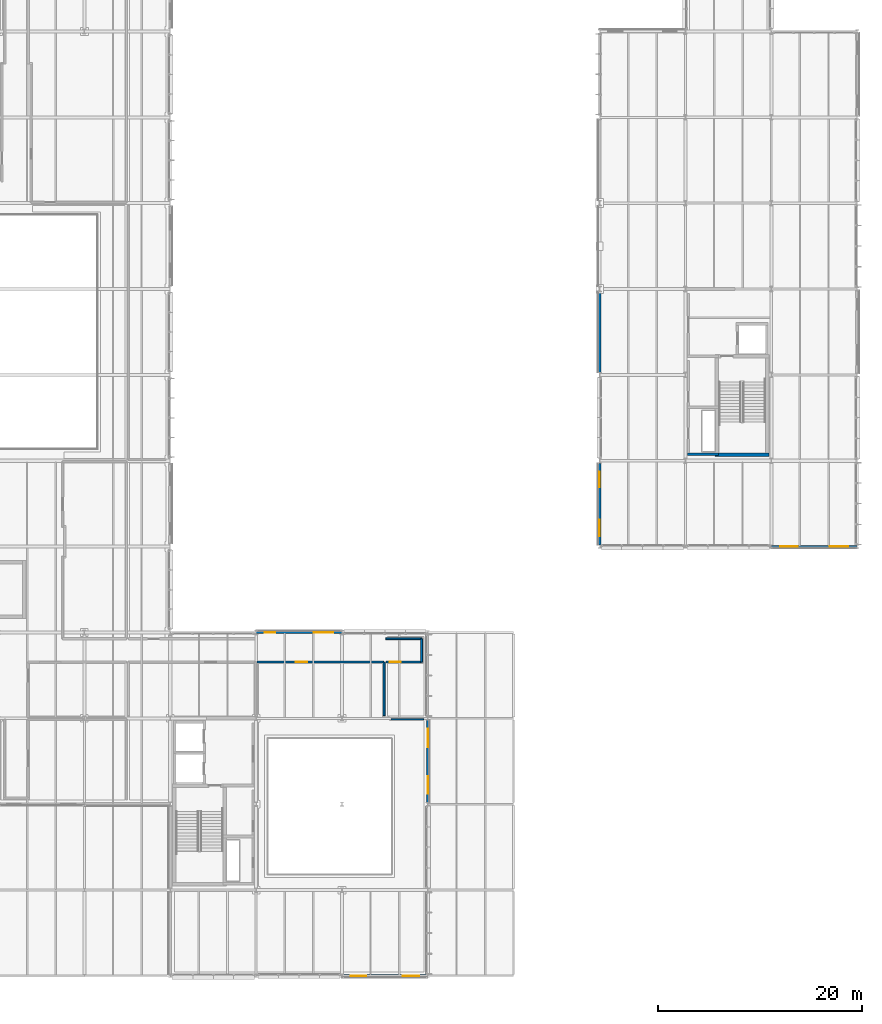
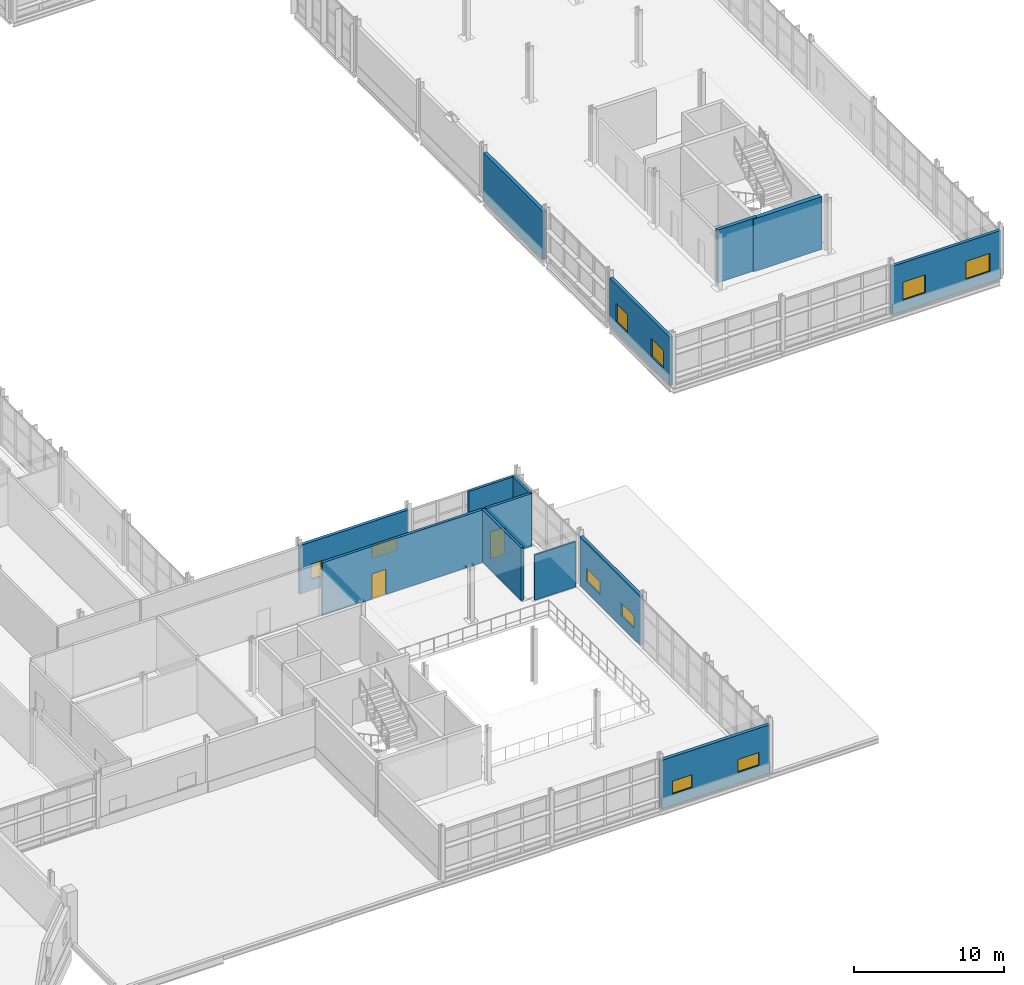
# One storey, part 101 of 129: 14 walls, 10 windows, 2 doors, 12 openings.
"""IFC4 building model written with IfcOpenShell, lengths in metres."""

from ifc_helpers import new_model, si_unit, direction, frame, frame_2d, origin, place, context, subcontext, project, spatial, rectangle, extrude, material, layer, layer_set, type_object, element, fill, save


model = new_model("IFC4")

# Units and contexts
model_context = context("Model", 3, precision=1e-05, world=origin(), true_north=direction((0.0, 1.0)))
body_context = subcontext(model_context, "Body", "Model", "MODEL_VIEW")
ifc_project = project(units=[si_unit("LENGTHUNIT", "METRE"), si_unit("AREAUNIT", "SQUARE_METRE"), si_unit("VOLUMEUNIT", "CUBIC_METRE"), si_unit("PLANEANGLEUNIT", "RADIAN"), si_unit("MASSUNIT", "GRAM", prefix="KILO")], contexts=[model_context])

# Site, building, storey
site_placement = place(None, origin())
site = spatial("IfcSite", under=ifc_project, at=site_placement, CompositionType="ELEMENT")
building_placement = place(site_placement, origin())
building = spatial("IfcBuilding", under=site, at=building_placement, Name="Mersafa Astral City Hall", CompositionType="ELEMENT")
storey_placement = place(building_placement, frame((0.0, 0.0, 5.39990234375)))
storey = spatial("IfcBuildingStorey", under=building, at=storey_placement, Name="L01", CompositionType="ELEMENT", Elevation=5.39990234375)

# Wall, openings, windows
ifc_material_1 = material(Name="Precast concrete C40/50 insulated terracotta spandrel", Category="masonry")
ifc_layer_1 = layer(ifc_material_1, 0.235107421875, Name="Precast concrete C40/50 insulated terracotta spandrel")
ifc_layer_set_1 = layer_set([ifc_layer_1], Name="Precast concrete C40/50 insulated terracotta spandrel — ENV-WAL-EXT-235")
wall_type_1 = type_object("IfcWallType", Name="ENV-WAL-EXT-235", PredefinedType="STANDARD", material=ifc_layer_set_1)
wall_1_placement = place(storey_placement, frame((134.39208984375, 33.60009765625, 0.0), z_axis=(0.0, 0.0, 1.0), x_axis=(-1.0, 0.0, 0.0)))
wall_1 = element("IfcWall", 1, at=wall_1_placement, inside=storey, type_object=wall_type_1, Name="L01 Limestone-clad exterior wall 89", PredefinedType="STANDARD", context=body_context, shape_type="SweptSolid", body=[
    extrude(rectangle(XDim=8.384033203125, YDim=0.235107421875, at=frame_2d((4.19189453125, 0.0))), origin(), (0.0, 0.0, 1.0), 3.9521484375),
])
opening_1_placement = place(wall_1_placement, frame((0.85009765625, 0.0, 0.89990234375)))
opening_1 = element("IfcOpeningElement", 2, at=opening_1_placement, cuts=wall_1, Name="Opening W-10", PredefinedType="OPENING", context=body_context, shape_type="SweptSolid", body=[
    extrude(rectangle(XDim=1.919921875, YDim=1.050048828125, at=frame_2d((0.9599609375, 0.52490234375))), frame((0.0, 0.12744140625, 0.0), z_axis=(0.0, -1.0, 0.0), x_axis=(1.0, 0.0, 0.0)), (0.0, 0.0, 1.0), 0.255126953125),
])
opening_2_placement = place(wall_1_placement, frame((6.513916015625, 0.0, 0.89990234375)))
opening_2 = element("IfcOpeningElement", 3, at=opening_2_placement, cuts=wall_1, Name="Opening W-11", PredefinedType="OPENING", context=body_context, shape_type="SweptSolid", body=[
    extrude(rectangle(XDim=1.02001953125, YDim=1.25, at=frame_2d((0.510009765625, 0.625))), frame((0.0, 0.12744140625, 0.0), z_axis=(0.0, -1.0, 0.0), x_axis=(1.0, 0.0, 0.0)), (0.0, 0.0, 1.0), 0.255126953125),
])
ifc_material_2 = material(Name="Solar control low-e double glazing in bronze frame", Category="glass")
window_type_1 = type_object("IfcWindowType", Name="ENV-WIN-W-10", PartitioningType="SINGLE_PANEL", PredefinedType="WINDOW", material=ifc_material_2)
window_1_placement = place(opening_1_placement, origin())
window_1 = element("IfcWindow", 4, at=window_1_placement, inside=storey, type_object=window_type_1, Name="L01 Solar punched window 89-L", OverallHeight=1.050048828125, OverallWidth=1.919921875, PartitioningType="SINGLE_PANEL", PredefinedType="WINDOW", context=body_context, shape_type="SweptSolid", body=[
    extrude(rectangle(XDim=1.919921875, YDim=1.050048828125, at=frame_2d((0.9599609375, 0.52490234375))), frame((0.0, 0.030029296875, 0.0), z_axis=(0.0, -1.0, 0.0), x_axis=(1.0, 0.0, 0.0)), (0.0, 0.0, 1.0), 0.06005859375),
])
fill(opening_1, window_1)
window_type_2 = type_object("IfcWindowType", Name="ENV-WIN-W-11", PartitioningType="SINGLE_PANEL", PredefinedType="WINDOW", material=ifc_material_2)
window_2_placement = place(opening_2_placement, origin())
window_2 = element("IfcWindow", 5, at=window_2_placement, inside=storey, type_object=window_type_2, Name="L01 Solar punched window 89-R", OverallHeight=1.25, OverallWidth=1.02001953125, PartitioningType="SINGLE_PANEL", PredefinedType="WINDOW", context=body_context, shape_type="SweptSolid", body=[
    extrude(rectangle(XDim=1.02001953125, YDim=1.25, at=frame_2d((0.510009765625, 0.625))), frame((0.0, 0.030029296875, 0.0), z_axis=(0.0, -1.0, 0.0), x_axis=(1.0, 0.0, 0.0)), (0.0, 0.0, 1.0), 0.06005859375),
])
fill(opening_2, window_2)

wall_2_placement = place(storey_placement, frame((176.407958984375, 42.0, 0.0), z_axis=(0.0, 0.0, 1.0), x_axis=(1.0, 0.0, 0.0)))
wall_2 = element("IfcWall", 6, at=wall_2_placement, inside=storey, type_object=wall_type_1, Name="L01 Limestone-clad exterior wall 101", PredefinedType="STANDARD", context=body_context, shape_type="SweptSolid", body=[
    extrude(rectangle(XDim=8.384033203125, YDim=0.235107421875, at=frame_2d((4.19189453125, 0.0))), origin(), (0.0, 0.0, 1.0), 3.922119140625),
])
opening_3_placement = place(wall_2_placement, frame((0.85009765625, 0.0, 0.89990234375)))
opening_3 = element("IfcOpeningElement", 7, at=opening_3_placement, cuts=wall_2, Name="Opening W-28", PredefinedType="OPENING", context=body_context, shape_type="SweptSolid", body=[
    extrude(rectangle(XDim=1.719970703125, YDim=1.449951171875, at=frame_2d((0.85986328125, 0.72509765625))), frame((0.0, 0.12744140625, 0.0), z_axis=(0.0, -1.0, 0.0), x_axis=(1.0, 0.0, 0.0)), (0.0, 0.0, 1.0), 0.255126953125),
])
opening_4_placement = place(wall_2_placement, frame((5.714111328125, 0.0, 0.89990234375)))
opening_4 = element("IfcOpeningElement", 8, at=opening_4_placement, cuts=wall_2, Name="Opening W-29", PredefinedType="OPENING", context=body_context, shape_type="SweptSolid", body=[
    extrude(rectangle(XDim=1.820068359375, YDim=1.449951171875, at=frame_2d((0.91015625, 0.72509765625))), frame((0.0, 0.12744140625, 0.0), z_axis=(0.0, -1.0, 0.0), x_axis=(1.0, 0.0, 0.0)), (0.0, 0.0, 1.0), 0.255126953125),
])
window_type_3 = type_object("IfcWindowType", Name="ENV-WIN-W-28", PartitioningType="SINGLE_PANEL", PredefinedType="WINDOW", material=ifc_material_2)
window_3_placement = place(opening_3_placement, origin())
window_3 = element("IfcWindow", 9, at=window_3_placement, inside=storey, type_object=window_type_3, Name="L01 Solar punched window 101-L", OverallHeight=1.449951171875, OverallWidth=1.719970703125, PartitioningType="SINGLE_PANEL", PredefinedType="WINDOW", context=body_context, shape_type="SweptSolid", body=[
    extrude(rectangle(XDim=1.719970703125, YDim=1.449951171875, at=frame_2d((0.85986328125, 0.72509765625))), frame((0.0, 0.030029296875, 0.0), z_axis=(0.0, -1.0, 0.0), x_axis=(1.0, 0.0, 0.0)), (0.0, 0.0, 1.0), 0.06005859375),
])
fill(opening_3, window_3)
window_type_4 = type_object("IfcWindowType", Name="ENV-WIN-W-29", PartitioningType="SINGLE_PANEL", PredefinedType="WINDOW", material=ifc_material_2)
window_4_placement = place(opening_4_placement, origin())
window_4 = element("IfcWindow", 10, at=window_4_placement, inside=storey, type_object=window_type_4, Name="L01 Solar punched window 101-R", OverallHeight=1.449951171875, OverallWidth=1.820068359375, PartitioningType="SINGLE_PANEL", PredefinedType="WINDOW", context=body_context, shape_type="SweptSolid", body=[
    extrude(rectangle(XDim=1.820068359375, YDim=1.449951171875, at=frame_2d((0.91015625, 0.72509765625))), frame((0.0, 0.030029296875, 0.0), z_axis=(0.0, -1.0, 0.0), x_axis=(1.0, 0.0, 0.0)), (0.0, 0.0, 1.0), 0.06005859375),
])
fill(opening_4, window_4)

ifc_layer_2 = layer(ifc_material_1, 0.25, Name="Precast concrete C40/50 insulated terracotta spandrel")
ifc_layer_set_2 = layer_set([ifc_layer_2], Name="Precast concrete C40/50 insulated terracotta spandrel — ENV-WAL-EXT-250")
wall_type_2 = type_object("IfcWallType", Name="ENV-WAL-EXT-250", PredefinedType="STANDARD", material=ifc_layer_set_2)
wall_3_placement = place(storey_placement, frame((142.800048828125, 16.966064453125, 0.0), z_axis=(0.0, 0.0, 1.0), x_axis=(0.0, 1.0, 0.0)))
wall_3 = element("IfcWall", 11, at=wall_3_placement, inside=storey, type_object=wall_type_2, Name="L01 Limestone-clad exterior wall 88", PredefinedType="STANDARD", context=body_context, shape_type="SweptSolid", body=[
    extrude(rectangle(XDim=8.057861328125, YDim=0.25, at=frame_2d((4.02880859375, 0.0))), origin(), (0.0, 0.0, 1.0), 4.01220703125),
])
opening_5_placement = place(wall_3_placement, frame((0.85009765625, 0.0, 0.89990234375)))
opening_5 = element("IfcOpeningElement", 12, at=opening_5_placement, cuts=wall_3, Name="Opening W-08", PredefinedType="OPENING", context=body_context, shape_type="SweptSolid", body=[
    extrude(rectangle(XDim=1.719970703125, YDim=1.050048828125, at=frame_2d((0.85986328125, 0.52490234375))), frame((0.0, 0.135009765625, 0.0), z_axis=(0.0, -1.0, 0.0), x_axis=(1.0, 0.0, 0.0)), (0.0, 0.0, 1.0), 0.27001953125),
])
opening_6_placement = place(wall_3_placement, frame((5.387939453125, 0.0, 0.89990234375)))
opening_6 = element("IfcOpeningElement", 13, at=opening_6_placement, cuts=wall_3, Name="Opening W-09", PredefinedType="OPENING", context=body_context, shape_type="SweptSolid", body=[
    extrude(rectangle(XDim=1.820068359375, YDim=1.050048828125, at=frame_2d((0.91015625, 0.52490234375))), frame((0.0, 0.135009765625, 0.0), z_axis=(0.0, -1.0, 0.0), x_axis=(1.0, 0.0, 0.0)), (0.0, 0.0, 1.0), 0.27001953125),
])
window_type_5 = type_object("IfcWindowType", Name="ENV-WIN-W-08", PartitioningType="SINGLE_PANEL", PredefinedType="WINDOW", material=ifc_material_2)
window_5_placement = place(opening_5_placement, origin())
window_5 = element("IfcWindow", 14, at=window_5_placement, inside=storey, type_object=window_type_5, Name="L01 Solar punched window 88-L", OverallHeight=1.050048828125, OverallWidth=1.719970703125, PartitioningType="SINGLE_PANEL", PredefinedType="WINDOW", context=body_context, shape_type="SweptSolid", body=[
    extrude(rectangle(XDim=1.719970703125, YDim=1.050048828125, at=frame_2d((0.85986328125, 0.52490234375))), frame((0.0, 0.030029296875, 0.0), z_axis=(0.0, -1.0, 0.0), x_axis=(1.0, 0.0, 0.0)), (0.0, 0.0, 1.0), 0.06005859375),
])
fill(opening_5, window_5)
window_type_6 = type_object("IfcWindowType", Name="ENV-WIN-W-09", PartitioningType="SINGLE_PANEL", PredefinedType="WINDOW", material=ifc_material_2)
window_6_placement = place(opening_6_placement, origin())
window_6 = element("IfcWindow", 15, at=window_6_placement, inside=storey, type_object=window_type_6, Name="L01 Solar punched window 88-R", OverallHeight=1.050048828125, OverallWidth=1.820068359375, PartitioningType="SINGLE_PANEL", PredefinedType="WINDOW", context=body_context, shape_type="SweptSolid", body=[
    extrude(rectangle(XDim=1.820068359375, YDim=1.050048828125, at=frame_2d((0.91015625, 0.52490234375))), frame((0.0, 0.030029296875, 0.0), z_axis=(0.0, -1.0, 0.0), x_axis=(1.0, 0.0, 0.0)), (0.0, 0.0, 1.0), 0.06005859375),
])
fill(opening_6, window_6)

wall_4_placement = place(storey_placement, frame((159.60009765625, 50.154052734375, 0.0), z_axis=(0.0, 0.0, 1.0), x_axis=(0.0, -1.0, 0.0)))
wall_4 = element("IfcWall", 16, at=wall_4_placement, inside=storey, type_object=wall_type_2, Name="L01 Limestone-clad exterior wall 100", PredefinedType="STANDARD", context=body_context, shape_type="SweptSolid", body=[
    extrude(rectangle(XDim=8.008056640625, YDim=0.25, at=frame_2d((4.00390625, 0.0))), origin(), (0.0, 0.0, 1.0), 3.922119140625),
])
opening_7_placement = place(wall_4_placement, frame((0.85009765625, 0.0, 0.89990234375)))
opening_7 = element("IfcOpeningElement", 17, at=opening_7_placement, cuts=wall_4, Name="Opening W-26", PredefinedType="OPENING", context=body_context, shape_type="SweptSolid", body=[
    extrude(rectangle(XDim=1.52001953125, YDim=1.449951171875, at=frame_2d((0.760009765625, 0.72509765625))), frame((0.0, 0.135009765625, 0.0), z_axis=(0.0, -1.0, 0.0), x_axis=(1.0, 0.0, 0.0)), (0.0, 0.0, 1.0), 0.27001953125),
])
opening_8_placement = place(wall_4_placement, frame((5.5380859375, 0.0, 0.89990234375)))
opening_8 = element("IfcOpeningElement", 18, at=opening_8_placement, cuts=wall_4, Name="Opening W-27", PredefinedType="OPENING", context=body_context, shape_type="SweptSolid", body=[
    extrude(rectangle(XDim=1.6201171875, YDim=1.449951171875, at=frame_2d((0.81005859375, 0.72509765625))), frame((0.0, 0.135009765625, 0.0), z_axis=(0.0, -1.0, 0.0), x_axis=(1.0, 0.0, 0.0)), (0.0, 0.0, 1.0), 0.27001953125),
])
window_type_7 = type_object("IfcWindowType", Name="ENV-WIN-W-26", PartitioningType="SINGLE_PANEL", PredefinedType="WINDOW", material=ifc_material_2)
window_7_placement = place(opening_7_placement, origin())
window_7 = element("IfcWindow", 19, at=window_7_placement, inside=storey, type_object=window_type_7, Name="L01 Solar punched window 100-L", OverallHeight=1.449951171875, OverallWidth=1.52001953125, PartitioningType="SINGLE_PANEL", PredefinedType="WINDOW", context=body_context, shape_type="SweptSolid", body=[
    extrude(rectangle(XDim=1.52001953125, YDim=1.449951171875, at=frame_2d((0.760009765625, 0.72509765625))), frame((0.0, 0.030029296875, 0.0), z_axis=(0.0, -1.0, 0.0), x_axis=(1.0, 0.0, 0.0)), (0.0, 0.0, 1.0), 0.06005859375),
])
fill(opening_7, window_7)
window_type_8 = type_object("IfcWindowType", Name="ENV-WIN-W-27", PartitioningType="SINGLE_PANEL", PredefinedType="WINDOW", material=ifc_material_2)
window_8_placement = place(opening_8_placement, origin())
window_8 = element("IfcWindow", 20, at=window_8_placement, inside=storey, type_object=window_type_8, Name="L01 Solar punched window 100-R", OverallHeight=1.449951171875, OverallWidth=1.6201171875, PartitioningType="SINGLE_PANEL", PredefinedType="WINDOW", context=body_context, shape_type="SweptSolid", body=[
    extrude(rectangle(XDim=1.6201171875, YDim=1.449951171875, at=frame_2d((0.81005859375, 0.72509765625))), frame((0.0, 0.030029296875, 0.0), z_axis=(0.0, -1.0, 0.0), x_axis=(1.0, 0.0, 0.0)), (0.0, 0.0, 1.0), 0.06005859375),
])
fill(opening_8, window_8)

ifc_material_3 = material(Name="Precast concrete C40/50 insulated limestone wall", Category="masonry")
ifc_layer_3 = layer(ifc_material_3, 0.264892578125, Name="Precast concrete C40/50 insulated limestone wall")
ifc_layer_set_3 = layer_set([ifc_layer_3], Name="Precast concrete C40/50 insulated limestone wall — ENV-WAL-EXT-265")
wall_type_3 = type_object("IfcWallType", Name="ENV-WAL-EXT-265", PredefinedType="STANDARD", material=ifc_layer_set_3)
wall_5_placement = place(storey_placement, frame((134.407958984375, 0.0, 0.0), z_axis=(0.0, 0.0, 1.0), x_axis=(1.0, 0.0, 0.0)))
wall_5 = element("IfcWall", 21, at=wall_5_placement, inside=storey, type_object=wall_type_3, Name="L01 Limestone-clad exterior wall 87", PredefinedType="STANDARD", context=body_context, shape_type="SweptSolid", body=[
    extrude(rectangle(XDim=8.384033203125, YDim=0.264892578125, at=frame_2d((4.19189453125, 0.0))), origin(), (0.0, 0.0, 1.0), 3.922119140625),
])
opening_9_placement = place(wall_5_placement, frame((0.85009765625, 0.0, 0.89990234375)))
opening_9 = element("IfcOpeningElement", 22, at=opening_9_placement, cuts=wall_5, Name="Opening W-06", PredefinedType="OPENING", context=body_context, shape_type="SweptSolid", body=[
    extrude(rectangle(XDim=1.52001953125, YDim=1.050048828125, at=frame_2d((0.760009765625, 0.52490234375))), frame((0.0, 0.142333984375, 0.0), z_axis=(0.0, -1.0, 0.0), x_axis=(1.0, 0.0, 0.0)), (0.0, 0.0, 1.0), 0.284912109375),
])
opening_10_placement = place(wall_5_placement, frame((5.9140625, 0.0, 0.89990234375)))
opening_10 = element("IfcOpeningElement", 23, at=opening_10_placement, cuts=wall_5, Name="Opening W-07", PredefinedType="OPENING", context=body_context, shape_type="SweptSolid", body=[
    extrude(rectangle(XDim=1.6201171875, YDim=1.050048828125, at=frame_2d((0.81005859375, 0.52490234375))), frame((0.0, 0.142333984375, 0.0), z_axis=(0.0, -1.0, 0.0), x_axis=(1.0, 0.0, 0.0)), (0.0, 0.0, 1.0), 0.284912109375),
])
window_type_9 = type_object("IfcWindowType", Name="ENV-WIN-W-06", PartitioningType="SINGLE_PANEL", PredefinedType="WINDOW", material=ifc_material_2)
window_9_placement = place(opening_9_placement, origin())
window_9 = element("IfcWindow", 24, at=window_9_placement, inside=storey, type_object=window_type_9, Name="L01 Solar punched window 87-L", OverallHeight=1.050048828125, OverallWidth=1.52001953125, PartitioningType="SINGLE_PANEL", PredefinedType="WINDOW", context=body_context, shape_type="SweptSolid", body=[
    extrude(rectangle(XDim=1.52001953125, YDim=1.050048828125, at=frame_2d((0.760009765625, 0.52490234375))), frame((0.0, 0.030029296875, 0.0), z_axis=(0.0, -1.0, 0.0), x_axis=(1.0, 0.0, 0.0)), (0.0, 0.0, 1.0), 0.06005859375),
])
fill(opening_9, window_9)
window_type_10 = type_object("IfcWindowType", Name="ENV-WIN-W-07", PartitioningType="SINGLE_PANEL", PredefinedType="WINDOW", material=ifc_material_2)
window_10_placement = place(opening_10_placement, origin())
window_10 = element("IfcWindow", 25, at=window_10_placement, inside=storey, type_object=window_type_10, Name="L01 Solar punched window 87-R", OverallHeight=1.050048828125, OverallWidth=1.6201171875, PartitioningType="SINGLE_PANEL", PredefinedType="WINDOW", context=body_context, shape_type="SweptSolid", body=[
    extrude(rectangle(XDim=1.6201171875, YDim=1.050048828125, at=frame_2d((0.81005859375, 0.52490234375))), frame((0.0, 0.030029296875, 0.0), z_axis=(0.0, -1.0, 0.0), x_axis=(1.0, 0.0, 0.0)), (0.0, 0.0, 1.0), 0.06005859375),
])
fill(opening_10, window_10)

# Walls
wall_6_placement = place(storey_placement, frame((159.60009765625, 66.9541015625, 0.0), z_axis=(0.0, 0.0, 1.0), x_axis=(0.0, -1.0, 0.0)))
element("IfcWall", 26, at=wall_6_placement, inside=storey, type_object=wall_type_3, Name="L01 Limestone-clad exterior wall 99", PredefinedType="STANDARD", context=body_context, shape_type="SweptSolid", body=[
    extrude(rectangle(XDim=7.908203125, YDim=0.264892578125, at=frame_2d((3.9541015625, 0.0))), origin(), (0.0, 0.0, 1.0), 3.922119140625),
])
ifc_material_4 = material(Name="Concrete C40/50", Category="concrete")
ifc_layer_4 = layer(ifc_material_4, 0.260009765625, Name="Concrete C40/50")
ifc_layer_set_4 = layer_set([ifc_layer_4], Name="Concrete C40/50 — INT-WAL-CORE-260")
wall_type_4 = type_object("IfcWallType", Name="INT-WAL-CORE-260", PredefinedType="SHEAR", material=ifc_layer_set_4)
wall_7_placement = place(storey_placement, frame((168.199951171875, 51.02001953125, 0.0), z_axis=(0.0, 0.0, 1.0), x_axis=(1.0, 0.0, 0.0)))
element("IfcWall", 27, at=wall_7_placement, inside=storey, type_object=wall_type_4, Name="L01 Core K4 riser south wall", PredefinedType="SHEAR", context=body_context, shape_type="SweptSolid", body=[
    extrude(rectangle(XDim=3.03515625, YDim=0.260009765625, at=frame_2d((1.517578125, 0.0))), origin(), (0.0, 0.0, 1.0), 4.2900390625),
])
ifc_layer_5 = layer(ifc_material_4, 0.340087890625, Name="Concrete C40/50")
ifc_layer_set_5 = layer_set([ifc_layer_5], Name="Concrete C40/50 — INT-WAL-CORE-340")
wall_type_5 = type_object("IfcWallType", Name="INT-WAL-CORE-340", PredefinedType="SHEAR", material=ifc_layer_set_5)
wall_8_placement = place(storey_placement, frame((170.9150390625, 50.97509765625, 0.0), z_axis=(0.0, 0.0, 1.0), x_axis=(1.0, 0.0, 0.0)))
element("IfcWall", 28, at=wall_8_placement, inside=storey, type_object=wall_type_5, Name="L01 Core K4 stair south shear wall", PredefinedType="SHEAR", context=body_context, shape_type="SweptSolid", body=[
    extrude(rectangle(XDim=5.25, YDim=0.340087890625, at=frame_2d((2.625, 0.0))), origin(), (0.0, 0.0, 1.0), 4.2900390625),
])
ifc_material_5 = material(Name="Acoustic steel-stud gypsum partition", Category="steel")
ifc_layer_6 = layer(ifc_material_5, 0.1201171875, Name="Acoustic steel-stud gypsum partition")
ifc_layer_set_6 = layer_set([ifc_layer_6], Name="Acoustic steel-stud gypsum partition — INT-WAL-PART-EI30-120")
wall_type_6 = type_object("IfcWallType", Name="INT-WAL-PART-EI30-120", PredefinedType="STANDARD", material=ifc_layer_set_6)
wall_9_placement = place(storey_placement, frame((139.2099609375, 25.110107421875, -0.00390625), z_axis=(0.0, 0.0, 1.0), x_axis=(1.0, 0.0, 0.0)))
element("IfcWall", 29, at=wall_9_placement, inside=storey, type_object=wall_type_6, Name="L01 Interior partition wall 338", PredefinedType="STANDARD", context=body_context, shape_type="SweptSolid", body=[
    extrude(rectangle(XDim=3.169921875, YDim=0.1201171875, at=frame_2d((1.5849609375, 0.0))), origin(), (0.0, 0.0, 1.0), 3.68603515625),
])
ifc_material_6 = material(Name="Acoustic twin-stud gypsum partition", Category="gypsum")
ifc_layer_7 = layer(ifc_material_6, 0.179931640625, Name="Acoustic twin-stud gypsum partition")
ifc_layer_set_7 = layer_set([ifc_layer_7], Name="Acoustic twin-stud gypsum partition — INT-WAL-PART-EI60-180")
wall_type_7 = type_object("IfcWallType", Name="INT-WAL-PART-EI60-180", PredefinedType="STANDARD", material=ifc_layer_set_7)
wall_10_placement = place(storey_placement, frame((142.179931640625, 32.97998046875, -0.00390625), z_axis=(0.0, 0.0, 1.0), x_axis=(-1.0, 0.0, 0.0)))
element("IfcWall", 30, at=wall_10_placement, inside=storey, type_object=wall_type_7, Name="L01 Interior partition wall 394", PredefinedType="STANDARD", context=body_context, shape_type="SweptSolid", body=[
    extrude(rectangle(XDim=3.489990234375, YDim=0.179931640625, at=frame_2d((1.7451171875, 0.0))), origin(), (0.0, 0.0, 1.0), 4.2939453125),
])
ifc_layer_8 = layer(ifc_material_6, 0.195068359375, Name="Acoustic twin-stud gypsum partition")
ifc_layer_set_8 = layer_set([ifc_layer_8], Name="Acoustic twin-stud gypsum partition — INT-WAL-PART-EI60-195")
wall_type_8 = type_object("IfcWallType", Name="INT-WAL-PART-EI60-195", PredefinedType="STANDARD", material=ifc_layer_set_8)
wall_11_placement = place(storey_placement, frame((138.510009765625, 30.699951171875, -0.00390625), z_axis=(0.0, 0.0, 1.0), x_axis=(0.0, -1.0, 0.0)))
element("IfcWall", 31, at=wall_11_placement, inside=storey, type_object=wall_type_8, Name="L01 Interior partition wall 337", PredefinedType="STANDARD", context=body_context, shape_type="SweptSolid", body=[
    extrude(rectangle(XDim=5.239990234375, YDim=0.195068359375, at=frame_2d((2.6201171875, 0.0))), origin(), (0.0, 0.0, 1.0), 4.2939453125),
])
wall_12_placement = place(storey_placement, frame((142.179931640625, 30.699951171875, -0.00390625), z_axis=(0.0, 0.0, 1.0), x_axis=(0.0, 1.0, 0.0)))
element("IfcWall", 32, at=wall_12_placement, inside=storey, type_object=wall_type_8, Name="L01 Interior partition wall 393", PredefinedType="STANDARD", context=body_context, shape_type="SweptSolid", body=[
    extrude(rectangle(XDim=2.280029296875, YDim=0.195068359375, at=frame_2d((1.14013671875, 0.0))), origin(), (0.0, 0.0, 1.0), 4.2939453125),
])

# Wall, opening, door
ifc_material_7 = material(Name="Autoclaved aerated concrete blockwork plastered", Category="masonry")
ifc_layer_9 = layer(ifc_material_7, 0.2099609375, Name="Autoclaved aerated concrete blockwork plastered")
ifc_layer_set_9 = layer_set([ifc_layer_9], Name="Autoclaved aerated concrete blockwork plastered — INT-WAL-PART-EI60-210")
wall_type_9 = type_object("IfcWallType", Name="INT-WAL-PART-EI60-210", PredefinedType="STANDARD", material=ifc_layer_set_9)
wall_13_placement = place(storey_placement, frame((126.090087890625, 30.699951171875, -0.00390625), z_axis=(0.0, 0.0, 1.0), x_axis=(1.0, 0.0, 0.0)))
wall_13 = element("IfcWall", 33, at=wall_13_placement, inside=storey, type_object=wall_type_9, Name="L01 Interior partition wall 336", PredefinedType="STANDARD", context=body_context, shape_type="SweptSolid", body=[
    extrude(rectangle(XDim=12.419921875, YDim=0.2099609375, at=frame_2d((6.2099609375, 0.0))), origin(), (0.0, 0.0, 1.0), 4.2939453125),
])
opening_11_placement = place(wall_13_placement, frame((3.797119140625, 0.0, 0.0)))
opening_11 = element("IfcOpeningElement", 34, at=opening_11_placement, cuts=wall_13, Name="Opening D-04", PredefinedType="OPENING", context=body_context, shape_type="SweptSolid", body=[
    extrude(rectangle(XDim=1.10009765625, YDim=2.06005859375, at=frame_2d((0.550048828125, 1.030029296875))), frame((0.0, 0.114990234375, 0.0), z_axis=(0.0, -1.0, 0.0), x_axis=(1.0, 0.0, 0.0)), (0.0, 0.0, 1.0), 0.22998046875),
])
ifc_material_8 = material(Name="Cedar veneered acoustic fire-rated timber door", Category="wood")
door_type_1 = type_object("IfcDoorType", Name="INT-DR-RM-D-04", OperationType="NOTDEFINED", PredefinedType="DOOR", material=ifc_material_8)
door_1_placement = place(opening_11_placement, origin())
door_1 = element("IfcDoor", 35, at=door_1_placement, inside=storey, type_object=door_type_1, Name="L01 Municipal Administration Office L01-15 Entrance Door", OperationType="SINGLE_SWING_RIGHT", OverallHeight=2.06005859375, OverallWidth=1.10009765625, PredefinedType="DOOR", context=body_context, shape_type="SweptSolid", body=[
    extrude(rectangle(XDim=1.10009765625, YDim=2.06005859375, at=frame_2d((0.550048828125, 1.030029296875))), frame((0.0, 0.02490234375, 0.0), z_axis=(0.0, -1.0, 0.0), x_axis=(1.0, 0.0, 0.0)), (0.0, 0.0, 1.0), 0.050048828125),
])
fill(opening_11, door_1)

wall_14_placement = place(storey_placement, frame((138.68994140625, 30.699951171875, -0.00390625), z_axis=(0.0, 0.0, 1.0), x_axis=(1.0, 0.0, 0.0)))
wall_14 = element("IfcWall", 36, at=wall_14_placement, inside=storey, type_object=wall_type_9, Name="L01 Interior partition wall 392", PredefinedType="STANDARD", context=body_context, shape_type="SweptSolid", body=[
    extrude(rectangle(XDim=3.489990234375, YDim=0.2099609375, at=frame_2d((1.7451171875, 0.0))), origin(), (0.0, 0.0, 1.0), 4.2939453125),
])
opening_12_placement = place(wall_14_placement, frame((0.360107421875, 0.0, 0.0)))
opening_12 = element("IfcOpeningElement", 37, at=opening_12_placement, cuts=wall_14, Name="Opening D-22", PredefinedType="OPENING", context=body_context, shape_type="SweptSolid", body=[
    extrude(rectangle(XDim=1.10009765625, YDim=2.219970703125, at=frame_2d((0.550048828125, 1.10986328125))), frame((0.0, 0.114990234375, 0.0), z_axis=(0.0, -1.0, 0.0), x_axis=(1.0, 0.0, 0.0)), (0.0, 0.0, 1.0), 0.22998046875),
])
door_type_2 = type_object("IfcDoorType", Name="INT-DR-RM-D-22", OperationType="NOTDEFINED", PredefinedType="DOOR", material=ifc_material_8)
door_2_placement = place(opening_12_placement, origin())
door_2 = element("IfcDoor", 38, at=door_2_placement, inside=storey, type_object=door_type_2, Name="L01 Municipal Administration Office L01-33 Entrance Door", OperationType="SINGLE_SWING_RIGHT", OverallHeight=2.219970703125, OverallWidth=1.10009765625, PredefinedType="DOOR", context=body_context, shape_type="SweptSolid", body=[
    extrude(rectangle(XDim=1.10009765625, YDim=2.219970703125, at=frame_2d((0.550048828125, 1.10986328125))), frame((0.0, 0.02490234375, 0.0), z_axis=(0.0, -1.0, 0.0), x_axis=(1.0, 0.0, 0.0)), (0.0, 0.0, 1.0), 0.050048828125),
])
fill(opening_12, door_2)

save(model, "model.ifc")
